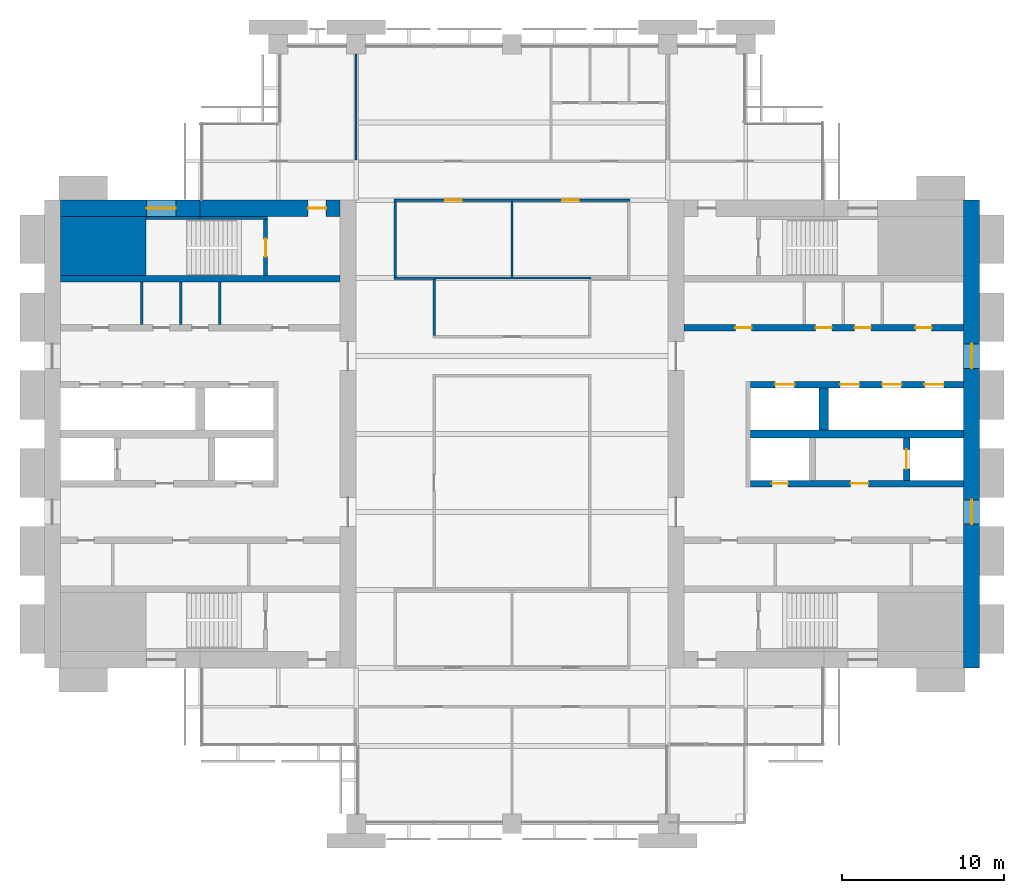
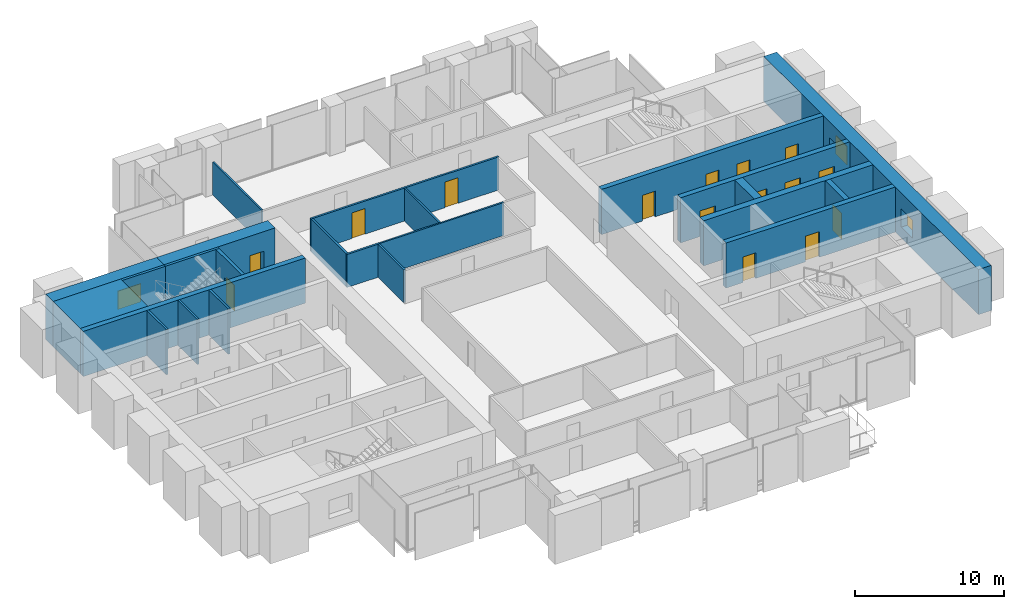
# One storey, part 10 of 13: 24 walls, 15 doors, 3 windows, 18 openings.
"""IFC4 building model written with IfcOpenShell, lengths in metres."""

from ifc_helpers import new_model, si_unit, direction, frame, frame_2d, origin, place, context, subcontext, project, spatial, rectangle, extrude, material, layer, layer_set, type_object, element, fill, save


model = new_model("IFC4")

# Units and contexts
model_context = context("Model", 3, precision=1e-05, world=origin(), true_north=direction((0.0, 1.0)))
body_context = subcontext(model_context, "Body", "Model", "MODEL_VIEW")
ifc_project = project(units=[si_unit("LENGTHUNIT", "METRE"), si_unit("AREAUNIT", "SQUARE_METRE"), si_unit("VOLUMEUNIT", "CUBIC_METRE"), si_unit("PLANEANGLEUNIT", "RADIAN"), si_unit("MASSUNIT", "GRAM", prefix="KILO")], contexts=[model_context])

# Site, building, storey
site_placement = place(None, origin())
site = spatial("IfcSite", under=ifc_project, at=site_placement, CompositionType="ELEMENT")
building_placement = place(site_placement, origin())
building = spatial("IfcBuilding", under=site, at=building_placement, Name="Baori Bourse Tower", CompositionType="ELEMENT")
storey_placement = place(building_placement, frame((0.0, 0.0, 172.10009765625)))
storey = spatial("IfcBuildingStorey", under=building, at=storey_placement, Name="L38", CompositionType="ELEMENT", Elevation=172.10009765625)

# Walls
ifc_material_1 = material(Name="Concrete f'c 60 MPa", Category="concrete")
wall_type_1 = type_object("IfcWallType", Name="Core corner block f'c 60", PredefinedType="SHEAR", material=ifc_material_1)
wall_1_placement = place(storey_placement, frame((1.0, 35.574951171875, 0.0), z_axis=(0.0, 0.0, 1.0), x_axis=(1.0, 0.0, 0.0)))
element("IfcWall", 1, at=wall_1_placement, inside=storey, type_object=wall_type_1, Name="Core wall W25", PredefinedType="SHEAR", context=body_context, shape_type="SweptSolid", body=[
    extrude(rectangle(XDim=5.25, YDim=3.64990234375, at=frame_2d((2.625, 0.0))), origin(), (0.0, 0.0, 1.0), 3.699951171875),
])
ifc_material_2 = material(Name="Blockwork partition", Category="masonry")
ifc_layer_1 = layer(ifc_material_2, 0.14990234375)
ifc_layer_set_1 = layer_set([ifc_layer_1], Name="Core partition 150")
wall_type_2 = type_object("IfcWallType", Name="Core partition 150", PredefinedType="PARTITIONING", material=ifc_layer_set_1)
for number, where, z_axis, x_axis, name in (
    (2, (6.0, 30.75, 0.0), (0.0, 0.0, 1.0), (0.0, 1.0, 0.0), "Partition wall W21"),
    (3, (8.39990234375, 30.75, 0.0), (0.0, 0.0, 1.0), (0.0, 1.0, 0.0), "Partition wall W22"),
    (4, (10.800048828125, 30.75, 0.0), (0.0, 0.0, 1.0), (0.0, 1.0, 0.0), "Partition wall W23"),
):
    element("IfcWall", number, at=place(storey_placement, frame(where, z_axis=z_axis, x_axis=x_axis)), inside=storey, type_object=wall_type_2, Name=name, PredefinedType="PARTITIONING", context=body_context, shape_type="SweptSolid", body=[
        extrude(rectangle(XDim=2.60009765625, YDim=0.14990234375, at=frame_2d((1.300048828125, 0.0))), origin(), (0.0, 0.0, 1.0), 3.699951171875),
    ])

# Wall, opening, window
ifc_material_3 = material(Name="Concrete f'c 60 MPa", Category="concrete")
ifc_layer_2 = layer(ifc_material_3, 1.0)
ifc_layer_set_2 = layer_set([ifc_layer_2], Name="Core wall 1000 f'c 60")
wall_type_3 = type_object("IfcWallType", Name="Core wall 1000 f'c 60", PredefinedType="SHEAR", material=ifc_layer_set_2)
wall_2_placement = place(storey_placement, frame((1.0, 37.89990234375, 0.0), z_axis=(0.0, 0.0, 1.0), x_axis=(1.0, 0.0, 0.0)))
wall_2 = element("IfcWall", 5, at=wall_2_placement, inside=storey, type_object=wall_type_3, Name="Core wall W29", PredefinedType="SHEAR", context=body_context, shape_type="SweptSolid", body=[
    extrude(rectangle(XDim=8.60009765625, YDim=1.0, at=frame_2d((4.300048828125, 0.0))), origin(), (0.0, 0.0, 1.0), 3.699951171875),
])
opening_1_placement = place(wall_2_placement, frame((5.300048828125, 0.0, 0.89990234375)))
opening_1 = element("IfcOpeningElement", 6, at=opening_1_placement, cuts=wall_2, Name="Opening L38-KW104", PredefinedType="OPENING", context=body_context, shape_type="SweptSolid", body=[
    extrude(rectangle(XDim=1.800048828125, YDim=1.5, at=frame_2d((0.89990234375, 0.75))), frame((0.0, 0.510009765625, 0.0), z_axis=(0.0, -1.0, 0.0), x_axis=(1.0, 0.0, 0.0)), (0.0, 0.0, 1.0), 1.02001953125),
])
ifc_material_4 = material(Name="Pale anodised aluminium", Category="aluminium")
window_type_1 = type_object("IfcWindowType", Name="Stair window 1800 x 1500", PartitioningType="SINGLE_PANEL", PredefinedType="WINDOW", material=ifc_material_4)
window_1_placement = place(opening_1_placement, origin())
window_1 = element("IfcWindow", 7, at=window_1_placement, inside=storey, type_object=window_type_1, Name="Stair window W L38 4", OverallHeight=1.5, OverallWidth=1.800048828125, PartitioningType="SINGLE_PANEL", PredefinedType="WINDOW", context=body_context, shape_type="SweptSolid", body=[
    extrude(rectangle(XDim=1.800048828125, YDim=1.5, at=frame_2d((0.89990234375, 0.75))), frame((0.0, 0.030029296875, 0.0), z_axis=(0.0, -1.0, 0.0), x_axis=(1.0, 0.0, 0.0)), (0.0, 0.0, 1.0), 0.06005859375),
])
fill(opening_1, window_1)

# Wall, opening, door
wall_3_placement = place(storey_placement, frame((9.60009765625, 37.89990234375, 0.0), z_axis=(0.0, 0.0, 1.0), x_axis=(1.0, 0.0, 0.0)))
wall_3 = element("IfcWall", 8, at=wall_3_placement, inside=storey, type_object=wall_type_3, Name="Core wall W30", PredefinedType="SHEAR", context=body_context, shape_type="SweptSolid", body=[
    extrude(rectangle(XDim=8.599853515625, YDim=1.0, at=frame_2d((4.2998046875, 0.0))), origin(), (0.0, 0.0, 1.0), 3.699951171875),
])
opening_2_placement = place(wall_3_placement, frame((6.64990234375, 0.0, 0.0)))
opening_2 = element("IfcOpeningElement", 9, at=opening_2_placement, cuts=wall_3, Name="Opening L38-D104", PredefinedType="OPENING", context=body_context, shape_type="SweptSolid", body=[
    extrude(rectangle(XDim=1.10009765625, YDim=2.10009765625, at=frame_2d((0.550048828125, 1.050048828125))), frame((0.0, 0.510009765625, 0.0), z_axis=(0.0, -1.0, 0.0), x_axis=(1.0, 0.0, 0.0)), (0.0, 0.0, 1.0), 1.02001953125),
])
ifc_material_5 = material(Name="Painted steel door", Category="steel")
door_type_1 = type_object("IfcDoorType", Name="Stair door 1100", OperationType="SINGLE_SWING_LEFT", PredefinedType="DOOR", material=ifc_material_5)
door_1_placement = place(opening_2_placement, origin())
door_1 = element("IfcDoor", 10, at=door_1_placement, inside=storey, type_object=door_type_1, Name="Stair vestibule door B W L38", OperationType="SINGLE_SWING_LEFT", OverallHeight=2.10009765625, OverallWidth=1.10009765625, PredefinedType="DOOR", context=body_context, shape_type="SweptSolid", body=[
    extrude(rectangle(XDim=1.10009765625, YDim=2.10009765625, at=frame_2d((0.550048828125, 1.050048828125))), frame((0.0, 0.02490234375, 0.0), z_axis=(0.0, -1.0, 0.0), x_axis=(1.0, 0.0, 0.0)), (0.0, 0.0, 1.0), 0.050048828125),
])
fill(opening_2, door_1)

# Wall, openings, windows
wall_4_placement = place(storey_placement, frame((57.10009765625, 38.39990234375, 0.0), z_axis=(0.0, 0.0, 1.0), x_axis=(0.0, -1.0, 0.0)))
wall_4 = element("IfcWall", 11, at=wall_4_placement, inside=storey, type_object=wall_type_3, Name="Core wall E01", PredefinedType="SHEAR", context=body_context, shape_type="SweptSolid", body=[
    extrude(rectangle(XDim=28.7998046875, YDim=1.0, at=frame_2d((14.39990234375, 0.0))), origin(), (0.0, 0.0, 1.0), 3.699951171875),
])
opening_3_placement = place(wall_4_placement, frame((18.449951171875, 0.0, 0.89990234375)))
opening_3 = element("IfcOpeningElement", 12, at=opening_3_placement, cuts=wall_4, Name="Opening L38-KW201", PredefinedType="OPENING", context=body_context, shape_type="SweptSolid", body=[
    extrude(rectangle(XDim=1.5, YDim=1.5, at=frame_2d((0.75, 0.75))), frame((0.0, 0.510009765625, 0.0), z_axis=(0.0, -1.0, 0.0), x_axis=(1.0, 0.0, 0.0)), (0.0, 0.0, 1.0), 1.02001953125),
])
opening_4_placement = place(wall_4_placement, frame((8.85009765625, 0.0, 0.89990234375)))
opening_4 = element("IfcOpeningElement", 13, at=opening_4_placement, cuts=wall_4, Name="Opening L38-KW202", PredefinedType="OPENING", context=body_context, shape_type="SweptSolid", body=[
    extrude(rectangle(XDim=1.5, YDim=1.5, at=frame_2d((0.75, 0.75))), frame((0.0, 0.510009765625, 0.0), z_axis=(0.0, -1.0, 0.0), x_axis=(1.0, 0.0, 0.0)), (0.0, 0.0, 1.0), 1.02001953125),
])
ifc_material_6 = material(Name="Pale anodised aluminium", Category="aluminium")
window_type_2 = type_object("IfcWindowType", Name="Lobby window 1500 x 1500", PartitioningType="SINGLE_PANEL", PredefinedType="WINDOW", material=ifc_material_6)
window_2_placement = place(opening_3_placement, origin())
window_2 = element("IfcWindow", 14, at=window_2_placement, inside=storey, type_object=window_type_2, Name="Outer wall window E L38 1", OverallHeight=1.5, OverallWidth=1.5, PartitioningType="SINGLE_PANEL", PredefinedType="WINDOW", context=body_context, shape_type="SweptSolid", body=[
    extrude(rectangle(XDim=1.5, YDim=1.5, at=frame_2d((0.75, 0.75))), frame((0.0, 0.030029296875, 0.0), z_axis=(0.0, -1.0, 0.0), x_axis=(1.0, 0.0, 0.0)), (0.0, 0.0, 1.0), 0.06005859375),
])
fill(opening_3, window_2)
window_3_placement = place(opening_4_placement, origin())
window_3 = element("IfcWindow", 15, at=window_3_placement, inside=storey, type_object=window_type_2, Name="Outer wall window E L38 2", OverallHeight=1.5, OverallWidth=1.5, PartitioningType="SINGLE_PANEL", PredefinedType="WINDOW", context=body_context, shape_type="SweptSolid", body=[
    extrude(rectangle(XDim=1.5, YDim=1.5, at=frame_2d((0.75, 0.75))), frame((0.0, 0.030029296875, 0.0), z_axis=(0.0, -1.0, 0.0), x_axis=(1.0, 0.0, 0.0)), (0.0, 0.0, 1.0), 0.06005859375),
])
fill(opening_4, window_3)

# Wall
ifc_material_7 = material(Name="Gypsum board partition")
ifc_layer_3 = layer(ifc_material_7, 0.14990234375)
ifc_layer_set_3 = layer_set([ifc_layer_3], Name="Corridor partition 150")
wall_type_4 = type_object("IfcWallType", Name="Corridor partition 150", PredefinedType="PARTITIONING", material=ifc_layer_set_3)
wall_5_placement = place(storey_placement, frame((21.52490234375, 33.60009765625, 0.0), z_axis=(0.0, 0.0, 1.0), x_axis=(1.0, 0.0, 0.0)))
element("IfcWall", 16, at=wall_5_placement, inside=storey, type_object=wall_type_4, Name="Partition", PredefinedType="PARTITIONING", context=body_context, shape_type="SweptSolid", body=[
    extrude(rectangle(XDim=2.550048828125, YDim=0.14990234375, at=frame_2d((1.27490234375, 0.0))), origin(), (0.0, 0.0, 1.0), 2.709228515625),
])

# Wall, openings, doors
wall_6_placement = place(storey_placement, frame((21.52490234375, 38.39990234375, 0.0), z_axis=(0.0, 0.0, 1.0), x_axis=(1.0, 0.0, 0.0)))
wall_6 = element("IfcWall", 17, at=wall_6_placement, inside=storey, type_object=wall_type_4, Name="Partition", PredefinedType="PARTITIONING", context=body_context, shape_type="SweptSolid", body=[
    extrude(rectangle(XDim=14.550048828125, YDim=0.14990234375, at=frame_2d((7.27490234375, 0.0))), origin(), (0.0, 0.0, 1.0), 2.709228515625),
])
opening_5_placement = place(wall_6_placement, frame((3.175048828125, 0.0, 0.0)))
opening_5 = element("IfcOpeningElement", 18, at=opening_5_placement, cuts=wall_6, Name="Opening L38-D09", PredefinedType="OPENING", context=body_context, shape_type="SweptSolid", body=[
    extrude(rectangle(XDim=1.0, YDim=2.10009765625, at=frame_2d((0.5, 1.050048828125))), frame((0.0, 0.0849609375, 0.0), z_axis=(0.0, -1.0, 0.0), x_axis=(1.0, 0.0, 0.0)), (0.0, 0.0, 1.0), 0.169921875),
])
opening_6_placement = place(wall_6_placement, frame((10.375, 0.0, 0.0)))
opening_6 = element("IfcOpeningElement", 19, at=opening_6_placement, cuts=wall_6, Name="Opening L38-D10", PredefinedType="OPENING", context=body_context, shape_type="SweptSolid", body=[
    extrude(rectangle(XDim=1.0, YDim=2.10009765625, at=frame_2d((0.5, 1.050048828125))), frame((0.0, 0.0849609375, 0.0), z_axis=(0.0, -1.0, 0.0), x_axis=(1.0, 0.0, 0.0)), (0.0, 0.0, 1.0), 0.169921875),
])
ifc_material_8 = material(Name="Timber door leaf", Category="wood")
door_type_2 = type_object("IfcDoorType", Name="Door 1000 x 2100", OperationType="SINGLE_SWING_LEFT", PredefinedType="DOOR", material=ifc_material_8)
door_2_placement = place(opening_5_placement, origin())
door_2 = element("IfcDoor", 20, at=door_2_placement, inside=storey, type_object=door_type_2, Name="Door", OperationType="SINGLE_SWING_LEFT", OverallHeight=2.10009765625, OverallWidth=1.0, PredefinedType="DOOR", context=body_context, shape_type="SweptSolid", body=[
    extrude(rectangle(XDim=1.0, YDim=2.10009765625, at=frame_2d((0.5, 1.050048828125))), frame((0.0, 0.02490234375, 0.0), z_axis=(0.0, -1.0, 0.0), x_axis=(1.0, 0.0, 0.0)), (0.0, 0.0, 1.0), 0.050048828125),
])
fill(opening_5, door_2)
door_3_placement = place(opening_6_placement, origin())
door_3 = element("IfcDoor", 21, at=door_3_placement, inside=storey, type_object=door_type_2, Name="Door", OperationType="SINGLE_SWING_RIGHT", OverallHeight=2.10009765625, OverallWidth=1.0, PredefinedType="DOOR", context=body_context, shape_type="SweptSolid", body=[
    extrude(rectangle(XDim=1.0, YDim=2.10009765625, at=frame_2d((0.5, 1.050048828125))), frame((0.0, 0.02490234375, 0.0), z_axis=(0.0, -1.0, 0.0), x_axis=(1.0, 0.0, 0.0)), (0.0, 0.0, 1.0), 0.050048828125),
])
fill(opening_6, door_3)

# Walls
wall_7_placement = place(storey_placement, frame((21.60009765625, 33.675048828125, 0.0), z_axis=(0.0, 0.0, 1.0), x_axis=(0.0, 1.0, 0.0)))
element("IfcWall", 22, at=wall_7_placement, inside=storey, type_object=wall_type_4, Name="Partition", PredefinedType="PARTITIONING", context=body_context, shape_type="SweptSolid", body=[
    extrude(rectangle(XDim=4.64990234375, YDim=0.14990234375, at=frame_2d((2.324951171875, 0.0))), origin(), (0.0, 0.0, 1.0), 2.709228515625),
])
wall_8_placement = place(storey_placement, frame((24.0, 30.074951171875, 0.0), z_axis=(0.0, 0.0, 1.0), x_axis=(0.0, 1.0, 0.0)))
element("IfcWall", 23, at=wall_8_placement, inside=storey, type_object=wall_type_4, Name="Partition", PredefinedType="PARTITIONING", context=body_context, shape_type="SweptSolid", body=[
    extrude(rectangle(XDim=3.449951171875, YDim=0.14990234375, at=frame_2d((1.72509765625, 0.0))), origin(), (0.0, 0.0, 1.0), 2.709228515625),
])
ifc_material_9 = material(Name="Gypsum board partition")
ifc_layer_4 = layer(ifc_material_9, 0.125)
ifc_layer_set_4 = layer_set([ifc_layer_4], Name="Partition 125")
wall_type_5 = type_object("IfcWallType", Name="Partition 125", PredefinedType="PARTITIONING", material=ifc_layer_set_4)
wall_9_placement = place(storey_placement, frame((24.074951171875, 33.60009765625, 0.0), z_axis=(0.0, 0.0, 1.0), x_axis=(1.0, 0.0, 0.0)))
element("IfcWall", 24, at=wall_9_placement, inside=storey, type_object=wall_type_5, Name="Partition", PredefinedType="PARTITIONING", context=body_context, shape_type="SweptSolid", body=[
    extrude(rectangle(XDim=9.60009765625, YDim=0.125, at=frame_2d((4.800048828125, 0.0))), origin(), (0.0, 0.0, 1.0), 2.709228515625),
])
wall_10_placement = place(storey_placement, frame((19.199951171875, 40.875, 0.0), z_axis=(0.0, 0.0, 1.0), x_axis=(0.0, 1.0, 0.0)))
element("IfcWall", 25, at=wall_10_placement, inside=storey, type_object=wall_type_5, Name="Partition", PredefinedType="PARTITIONING", context=body_context, shape_type="SweptSolid", body=[
    extrude(rectangle(XDim=6.52490234375, YDim=0.125, at=frame_2d((3.262451171875, 0.0))), origin(), (0.0, 0.0, 1.0), 2.709228515625),
])
wall_11_placement = place(storey_placement, frame((28.800048828125, 33.66259765625, 0.0), z_axis=(0.0, 0.0, 1.0), x_axis=(0.0, 1.0, 0.0)))
element("IfcWall", 26, at=wall_11_placement, inside=storey, type_object=wall_type_5, Name="Partition", PredefinedType="PARTITIONING", context=body_context, shape_type="SweptSolid", body=[
    extrude(rectangle(XDim=4.662353515625, YDim=0.125, at=frame_2d((2.3310546875, 0.0))), origin(), (0.0, 0.0, 1.0), 2.709228515625),
])
ifc_material_10 = material(Name="Concrete f'c 60 MPa", Category="concrete")
ifc_layer_5 = layer(ifc_material_10, 0.199951171875)
ifc_layer_set_5 = layer_set([ifc_layer_5], Name="Shaft wall 200 f'c 60")
wall_type_6 = type_object("IfcWallType", Name="Shaft wall 200 f'c 60", PredefinedType="SHEAR", material=ifc_layer_set_5)
wall_12_placement = place(storey_placement, frame((6.25, 37.300048828125, 0.0), z_axis=(0.0, 0.0, 1.0), x_axis=(1.0, 0.0, 0.0)))
element("IfcWall", 27, at=wall_12_placement, inside=storey, type_object=wall_type_6, Name="Core wall W27", PredefinedType="SHEAR", context=body_context, shape_type="SweptSolid", body=[
    extrude(rectangle(XDim=3.35009765625, YDim=0.199951171875, at=frame_2d((1.675048828125, 0.0))), origin(), (0.0, 0.0, 1.0), 3.699951171875),
])
wall_13_placement = place(storey_placement, frame((9.60009765625, 37.300048828125, 0.0), z_axis=(0.0, 0.0, 1.0), x_axis=(1.0, 0.0, 0.0)))
element("IfcWall", 28, at=wall_13_placement, inside=storey, type_object=wall_type_6, Name="Core wall W28", PredefinedType="SHEAR", context=body_context, shape_type="SweptSolid", body=[
    extrude(rectangle(XDim=4.14990234375, YDim=0.199951171875, at=frame_2d((2.074951171875, 0.0))), origin(), (0.0, 0.0, 1.0), 3.699951171875),
])

# Wall, opening, door
ifc_material_11 = material(Name="Concrete f'c 60 MPa", Category="concrete")
ifc_layer_6 = layer(ifc_material_11, 0.25)
ifc_layer_set_6 = layer_set([ifc_layer_6], Name="Shaft wall 250 f'c 60")
wall_type_7 = type_object("IfcWallType", Name="Shaft wall 250 f'c 60", PredefinedType="SHEAR", material=ifc_layer_set_6)
wall_14_placement = place(storey_placement, frame((13.625, 33.75, 0.0), z_axis=(0.0, 0.0, 1.0), x_axis=(0.0, 1.0, 0.0)))
wall_14 = element("IfcWall", 29, at=wall_14_placement, inside=storey, type_object=wall_type_7, Name="Core wall W26", PredefinedType="SHEAR", context=body_context, shape_type="SweptSolid", body=[
    extrude(rectangle(XDim=3.449951171875, YDim=0.25, at=frame_2d((1.72509765625, 0.0))), origin(), (0.0, 0.0, 1.0), 3.699951171875),
])
opening_7_placement = place(wall_14_placement, frame((1.175048828125, 0.0, 0.0)))
opening_7 = element("IfcOpeningElement", 30, at=opening_7_placement, cuts=wall_14, Name="Opening L38-D103", PredefinedType="OPENING", context=body_context, shape_type="SweptSolid", body=[
    extrude(rectangle(XDim=1.10009765625, YDim=2.10009765625, at=frame_2d((0.550048828125, 1.050048828125))), frame((0.0, 0.135009765625, 0.0), z_axis=(0.0, -1.0, 0.0), x_axis=(1.0, 0.0, 0.0)), (0.0, 0.0, 1.0), 0.27001953125),
])
door_4_placement = place(opening_7_placement, origin())
door_4 = element("IfcDoor", 31, at=door_4_placement, inside=storey, type_object=door_type_1, Name="Stair door B W L38", OperationType="SINGLE_SWING_LEFT", OverallHeight=2.10009765625, OverallWidth=1.10009765625, PredefinedType="DOOR", context=body_context, shape_type="SweptSolid", body=[
    extrude(rectangle(XDim=1.10009765625, YDim=2.10009765625, at=frame_2d((0.550048828125, 1.050048828125))), frame((0.0, 0.02490234375, 0.0), z_axis=(0.0, -1.0, 0.0), x_axis=(1.0, 0.0, 0.0)), (0.0, 0.0, 1.0), 0.050048828125),
])
fill(opening_7, door_4)

# Wall
ifc_material_12 = material(Name="Concrete f'c 60 MPa", Category="concrete")
ifc_layer_7 = layer(ifc_material_12, 0.39990234375)
ifc_layer_set_7 = layer_set([ifc_layer_7], Name="Shaft wall 400 f'c 60")
wall_type_8 = type_object("IfcWallType", Name="Shaft wall 400 f'c 60", PredefinedType="SHEAR", material=ifc_layer_set_7)
wall_15_placement = place(storey_placement, frame((1.0, 33.550048828125, 0.0), z_axis=(0.0, 0.0, 1.0), x_axis=(1.0, 0.0, 0.0)))
element("IfcWall", 32, at=wall_15_placement, inside=storey, type_object=wall_type_8, Name="Core wall W24", PredefinedType="SHEAR", context=body_context, shape_type="SweptSolid", body=[
    extrude(rectangle(XDim=17.199951171875, YDim=0.39990234375, at=frame_2d((8.60009765625, 0.0))), origin(), (0.0, 0.0, 1.0), 3.699951171875),
])

# Wall, openings, doors
wall_16_placement = place(storey_placement, frame((43.5, 20.949951171875, 0.0), z_axis=(0.0, 0.0, 1.0), x_axis=(1.0, 0.0, 0.0)))
wall_16 = element("IfcWall", 33, at=wall_16_placement, inside=storey, type_object=wall_type_8, Name="Core wall E13", PredefinedType="SHEAR", context=body_context, shape_type="SweptSolid", body=[
    extrude(rectangle(XDim=13.10009765625, YDim=0.39990234375, at=frame_2d((6.550048828125, 0.0))), origin(), (0.0, 0.0, 1.0), 3.699951171875),
])
opening_8_placement = place(wall_16_placement, frame((6.14990234375, 0.0, 0.0)))
opening_8 = element("IfcOpeningElement", 34, at=opening_8_placement, cuts=wall_16, Name="Opening L38-D205", PredefinedType="OPENING", context=body_context, shape_type="SweptSolid", body=[
    extrude(rectangle(XDim=1.10009765625, YDim=2.10009765625, at=frame_2d((0.550048828125, 1.050048828125))), frame((0.0, 0.2099609375, 0.0), z_axis=(0.0, -1.0, 0.0), x_axis=(1.0, 0.0, 0.0)), (0.0, 0.0, 1.0), 0.419921875),
])
opening_9_placement = place(wall_16_placement, frame((1.300048828125, 0.0, 0.0)))
opening_9 = element("IfcOpeningElement", 35, at=opening_9_placement, cuts=wall_16, Name="Opening L38-D206", PredefinedType="OPENING", context=body_context, shape_type="SweptSolid", body=[
    extrude(rectangle(XDim=1.0, YDim=2.10009765625, at=frame_2d((0.5, 1.050048828125))), frame((0.0, 0.2099609375, 0.0), z_axis=(0.0, -1.0, 0.0), x_axis=(1.0, 0.0, 0.0)), (0.0, 0.0, 1.0), 0.419921875),
])
ifc_material_13 = material(Name="Painted steel door", Category="steel")
door_type_3 = type_object("IfcDoorType", Name="Lobby door 1100", OperationType="SINGLE_SWING_LEFT", PredefinedType="DOOR", material=ifc_material_13)
door_5_placement = place(opening_8_placement, origin())
door_5 = element("IfcDoor", 36, at=door_5_placement, inside=storey, type_object=door_type_3, Name="Firefighting lobby door E L38", OperationType="SINGLE_SWING_LEFT", OverallHeight=2.10009765625, OverallWidth=1.10009765625, PredefinedType="DOOR", context=body_context, shape_type="SweptSolid", body=[
    extrude(rectangle(XDim=1.10009765625, YDim=2.10009765625, at=frame_2d((0.550048828125, 1.050048828125))), frame((0.0, 0.02490234375, 0.0), z_axis=(0.0, -1.0, 0.0), x_axis=(1.0, 0.0, 0.0)), (0.0, 0.0, 1.0), 0.050048828125),
])
fill(opening_8, door_5)
ifc_material_14 = material(Name="Painted steel door", Category="steel")
door_type_4 = type_object("IfcDoorType", Name="Shaft door 1000", OperationType="SINGLE_SWING_LEFT", PredefinedType="DOOR", material=ifc_material_14)
door_6_placement = place(opening_9_placement, origin())
door_6 = element("IfcDoor", 37, at=door_6_placement, inside=storey, type_object=door_type_4, Name="Riser room door E L38", OperationType="SINGLE_SWING_LEFT", OverallHeight=2.10009765625, OverallWidth=1.0, PredefinedType="DOOR", context=body_context, shape_type="SweptSolid", body=[
    extrude(rectangle(XDim=1.0, YDim=2.10009765625, at=frame_2d((0.5, 1.050048828125))), frame((0.0, 0.02490234375, 0.0), z_axis=(0.0, -1.0, 0.0), x_axis=(1.0, 0.0, 0.0)), (0.0, 0.0, 1.0), 0.050048828125),
])
fill(opening_9, door_6)

# Wall, opening, door
wall_17_placement = place(storey_placement, frame((53.10009765625, 21.14990234375, 0.0), z_axis=(0.0, 0.0, 1.0), x_axis=(0.0, 1.0, 0.0)))
wall_17 = element("IfcWall", 38, at=wall_17_placement, inside=storey, type_object=wall_type_8, Name="Core wall E15", PredefinedType="SHEAR", context=body_context, shape_type="SweptSolid", body=[
    extrude(rectangle(XDim=2.60009765625, YDim=0.39990234375, at=frame_2d((1.300048828125, 0.0))), origin(), (0.0, 0.0, 1.0), 3.699951171875),
])
opening_10_placement = place(wall_17_placement, frame((0.699951171875, 0.0, 0.0)))
opening_10 = element("IfcOpeningElement", 39, at=opening_10_placement, cuts=wall_17, Name="Opening L38-D220", PredefinedType="OPENING", context=body_context, shape_type="SweptSolid", body=[
    extrude(rectangle(XDim=1.199951171875, YDim=2.10009765625, at=frame_2d((0.60009765625, 1.050048828125))), frame((0.0, 0.2099609375, 0.0), z_axis=(0.0, -1.0, 0.0), x_axis=(1.0, 0.0, 0.0)), (0.0, 0.0, 1.0), 0.419921875),
])
ifc_material_15 = material(Name="Stainless steel door", Category="steel")
door_type_5 = type_object("IfcDoorType", Name="Lift landing door", OperationType="DOUBLE_DOOR_SLIDING", PredefinedType="DOOR", material=ifc_material_15)
door_7_placement = place(opening_10_placement, origin())
door_7 = element("IfcDoor", 40, at=door_7_placement, inside=storey, type_object=door_type_5, Name="Lift landing door FF2 E L38", OperationType="DOUBLE_DOOR_SLIDING", OverallHeight=2.10009765625, OverallWidth=1.199951171875, PredefinedType="DOOR", context=body_context, shape_type="SweptSolid", body=[
    extrude(rectangle(XDim=1.199951171875, YDim=2.10009765625, at=frame_2d((0.60009765625, 1.050048828125))), frame((0.0, 0.02490234375, 0.0), z_axis=(0.0, -1.0, 0.0), x_axis=(1.0, 0.0, 0.0)), (0.0, 0.0, 1.0), 0.050048828125),
])
fill(opening_10, door_7)

# Wall, openings, doors
wall_18_placement = place(storey_placement, frame((43.5, 27.050048828125, 0.0), z_axis=(0.0, 0.0, 1.0), x_axis=(1.0, 0.0, 0.0)))
wall_18 = element("IfcWall", 41, at=wall_18_placement, inside=storey, type_object=wall_type_8, Name="Core wall E19", PredefinedType="SHEAR", context=body_context, shape_type="SweptSolid", body=[
    extrude(rectangle(XDim=13.10009765625, YDim=0.39990234375, at=frame_2d((6.550048828125, 0.0))), origin(), (0.0, 0.0, 1.0), 3.699951171875),
])
opening_11_placement = place(wall_18_placement, frame((10.699951171875, 0.0, 0.0)))
opening_11 = element("IfcOpeningElement", 42, at=opening_11_placement, cuts=wall_18, Name="Opening L38-D216", PredefinedType="OPENING", context=body_context, shape_type="SweptSolid", body=[
    extrude(rectangle(XDim=1.199951171875, YDim=2.10009765625, at=frame_2d((0.60009765625, 1.050048828125))), frame((0.0, 0.2099609375, 0.0), z_axis=(0.0, -1.0, 0.0), x_axis=(1.0, 0.0, 0.0)), (0.0, 0.0, 1.0), 0.419921875),
])
opening_12_placement = place(wall_18_placement, frame((8.10009765625, 0.0, 0.0)))
opening_12 = element("IfcOpeningElement", 43, at=opening_12_placement, cuts=wall_18, Name="Opening L38-D217", PredefinedType="OPENING", context=body_context, shape_type="SweptSolid", body=[
    extrude(rectangle(XDim=1.199951171875, YDim=2.10009765625, at=frame_2d((0.60009765625, 1.050048828125))), frame((0.0, 0.2099609375, 0.0), z_axis=(0.0, -1.0, 0.0), x_axis=(1.0, 0.0, 0.0)), (0.0, 0.0, 1.0), 0.419921875),
])
opening_13_placement = place(wall_18_placement, frame((5.5, 0.0, 0.0)))
opening_13 = element("IfcOpeningElement", 44, at=opening_13_placement, cuts=wall_18, Name="Opening L38-D218", PredefinedType="OPENING", context=body_context, shape_type="SweptSolid", body=[
    extrude(rectangle(XDim=1.199951171875, YDim=2.10009765625, at=frame_2d((0.60009765625, 1.050048828125))), frame((0.0, 0.2099609375, 0.0), z_axis=(0.0, -1.0, 0.0), x_axis=(1.0, 0.0, 0.0)), (0.0, 0.0, 1.0), 0.419921875),
])
opening_14_placement = place(wall_18_placement, frame((1.5, 0.0, 0.0)))
opening_14 = element("IfcOpeningElement", 45, at=opening_14_placement, cuts=wall_18, Name="Opening L38-D219", PredefinedType="OPENING", context=body_context, shape_type="SweptSolid", body=[
    extrude(rectangle(XDim=1.199951171875, YDim=2.10009765625, at=frame_2d((0.60009765625, 1.050048828125))), frame((0.0, 0.2099609375, 0.0), z_axis=(0.0, -1.0, 0.0), x_axis=(1.0, 0.0, 0.0)), (0.0, 0.0, 1.0), 0.419921875),
])
door_8_placement = place(opening_11_placement, origin())
door_8 = element("IfcDoor", 46, at=door_8_placement, inside=storey, type_object=door_type_5, Name="Lift landing door SH1 E L38", OperationType="DOUBLE_DOOR_SLIDING", OverallHeight=2.10009765625, OverallWidth=1.199951171875, PredefinedType="DOOR", context=body_context, shape_type="SweptSolid", body=[
    extrude(rectangle(XDim=1.199951171875, YDim=2.10009765625, at=frame_2d((0.60009765625, 1.050048828125))), frame((0.0, 0.02490234375, 0.0), z_axis=(0.0, -1.0, 0.0), x_axis=(1.0, 0.0, 0.0)), (0.0, 0.0, 1.0), 0.050048828125),
])
fill(opening_11, door_8)
door_9_placement = place(opening_12_placement, origin())
door_9 = element("IfcDoor", 47, at=door_9_placement, inside=storey, type_object=door_type_5, Name="Lift landing door SH2 E L38", OperationType="DOUBLE_DOOR_SLIDING", OverallHeight=2.10009765625, OverallWidth=1.199951171875, PredefinedType="DOOR", context=body_context, shape_type="SweptSolid", body=[
    extrude(rectangle(XDim=1.199951171875, YDim=2.10009765625, at=frame_2d((0.60009765625, 1.050048828125))), frame((0.0, 0.02490234375, 0.0), z_axis=(0.0, -1.0, 0.0), x_axis=(1.0, 0.0, 0.0)), (0.0, 0.0, 1.0), 0.050048828125),
])
fill(opening_12, door_9)
door_10_placement = place(opening_13_placement, origin())
door_10 = element("IfcDoor", 48, at=door_10_placement, inside=storey, type_object=door_type_5, Name="Lift landing door SH3 E L38", OperationType="DOUBLE_DOOR_SLIDING", OverallHeight=2.10009765625, OverallWidth=1.199951171875, PredefinedType="DOOR", context=body_context, shape_type="SweptSolid", body=[
    extrude(rectangle(XDim=1.199951171875, YDim=2.10009765625, at=frame_2d((0.60009765625, 1.050048828125))), frame((0.0, 0.02490234375, 0.0), z_axis=(0.0, -1.0, 0.0), x_axis=(1.0, 0.0, 0.0)), (0.0, 0.0, 1.0), 0.050048828125),
])
fill(opening_13, door_10)
door_11_placement = place(opening_14_placement, origin())
door_11 = element("IfcDoor", 49, at=door_11_placement, inside=storey, type_object=door_type_5, Name="Lift landing door SV1 E L38", OperationType="DOUBLE_DOOR_SLIDING", OverallHeight=2.10009765625, OverallWidth=1.199951171875, PredefinedType="DOOR", context=body_context, shape_type="SweptSolid", body=[
    extrude(rectangle(XDim=1.199951171875, YDim=2.10009765625, at=frame_2d((0.60009765625, 1.050048828125))), frame((0.0, 0.02490234375, 0.0), z_axis=(0.0, -1.0, 0.0), x_axis=(1.0, 0.0, 0.0)), (0.0, 0.0, 1.0), 0.050048828125),
])
fill(opening_14, door_11)

wall_19_placement = place(storey_placement, frame((39.39990234375, 30.550048828125, 0.0), z_axis=(0.0, 0.0, 1.0), x_axis=(1.0, 0.0, 0.0)))
wall_19 = element("IfcWall", 50, at=wall_19_placement, inside=storey, type_object=wall_type_8, Name="Core wall E20", PredefinedType="SHEAR", context=body_context, shape_type="SweptSolid", body=[
    extrude(rectangle(XDim=17.2001953125, YDim=0.39990234375, at=frame_2d((8.60009765625, 0.0))), origin(), (0.0, 0.0, 1.0), 3.699951171875),
])
opening_15_placement = place(wall_19_placement, frame((14.237548828125, 0.0, 0.0)))
opening_15 = element("IfcOpeningElement", 51, at=opening_15_placement, cuts=wall_19, Name="Opening L38-D209", PredefinedType="OPENING", context=body_context, shape_type="SweptSolid", body=[
    extrude(rectangle(XDim=1.0, YDim=2.10009765625, at=frame_2d((0.5, 1.050048828125))), frame((0.0, 0.2099609375, 0.0), z_axis=(0.0, -1.0, 0.0), x_axis=(1.0, 0.0, 0.0)), (0.0, 0.0, 1.0), 0.419921875),
])
opening_16_placement = place(wall_19_placement, frame((10.5, 0.0, 0.0)))
opening_16 = element("IfcOpeningElement", 52, at=opening_16_placement, cuts=wall_19, Name="Opening L38-D210", PredefinedType="OPENING", context=body_context, shape_type="SweptSolid", body=[
    extrude(rectangle(XDim=1.0, YDim=2.10009765625, at=frame_2d((0.5, 1.050048828125))), frame((0.0, 0.2099609375, 0.0), z_axis=(0.0, -1.0, 0.0), x_axis=(1.0, 0.0, 0.0)), (0.0, 0.0, 1.0), 0.419921875),
])
opening_17_placement = place(wall_19_placement, frame((8.10009765625, 0.0, 0.0)))
opening_17 = element("IfcOpeningElement", 53, at=opening_17_placement, cuts=wall_19, Name="Opening L38-D211", PredefinedType="OPENING", context=body_context, shape_type="SweptSolid", body=[
    extrude(rectangle(XDim=1.0, YDim=2.10009765625, at=frame_2d((0.5, 1.050048828125))), frame((0.0, 0.2099609375, 0.0), z_axis=(0.0, -1.0, 0.0), x_axis=(1.0, 0.0, 0.0)), (0.0, 0.0, 1.0), 0.419921875),
])
opening_18_placement = place(wall_19_placement, frame((3.16259765625, 0.0, 0.0)))
opening_18 = element("IfcOpeningElement", 54, at=opening_18_placement, cuts=wall_19, Name="Opening L38-D212", PredefinedType="OPENING", context=body_context, shape_type="SweptSolid", body=[
    extrude(rectangle(XDim=1.0, YDim=2.10009765625, at=frame_2d((0.5, 1.050048828125))), frame((0.0, 0.2099609375, 0.0), z_axis=(0.0, -1.0, 0.0), x_axis=(1.0, 0.0, 0.0)), (0.0, 0.0, 1.0), 0.419921875),
])
ifc_material_16 = material(Name="Painted steel door", Category="steel")
door_type_6 = type_object("IfcDoorType", Name="Core door 1000", OperationType="SINGLE_SWING_LEFT", PredefinedType="DOOR", material=ifc_material_16)
door_12_placement = place(opening_15_placement, origin())
door_12 = element("IfcDoor", 55, at=door_12_placement, inside=storey, type_object=door_type_6, Name="Women'S Wc door E L38", OperationType="SINGLE_SWING_LEFT", OverallHeight=2.10009765625, OverallWidth=1.0, PredefinedType="DOOR", context=body_context, shape_type="SweptSolid", body=[
    extrude(rectangle(XDim=1.0, YDim=2.10009765625, at=frame_2d((0.5, 1.050048828125))), frame((0.0, 0.02490234375, 0.0), z_axis=(0.0, -1.0, 0.0), x_axis=(1.0, 0.0, 0.0)), (0.0, 0.0, 1.0), 0.050048828125),
])
fill(opening_15, door_12)
door_13_placement = place(opening_16_placement, origin())
door_13 = element("IfcDoor", 56, at=door_13_placement, inside=storey, type_object=door_type_6, Name="Accessible Wc door E L38", OperationType="SINGLE_SWING_LEFT", OverallHeight=2.10009765625, OverallWidth=1.0, PredefinedType="DOOR", context=body_context, shape_type="SweptSolid", body=[
    extrude(rectangle(XDim=1.0, YDim=2.10009765625, at=frame_2d((0.5, 1.050048828125))), frame((0.0, 0.02490234375, 0.0), z_axis=(0.0, -1.0, 0.0), x_axis=(1.0, 0.0, 0.0)), (0.0, 0.0, 1.0), 0.050048828125),
])
fill(opening_16, door_13)
door_14_placement = place(opening_18_placement, origin())
door_14 = element("IfcDoor", 57, at=door_14_placement, inside=storey, type_object=door_type_6, Name="Men'S Wc door E L38", OperationType="SINGLE_SWING_LEFT", OverallHeight=2.10009765625, OverallWidth=1.0, PredefinedType="DOOR", context=body_context, shape_type="SweptSolid", body=[
    extrude(rectangle(XDim=1.0, YDim=2.10009765625, at=frame_2d((0.5, 1.050048828125))), frame((0.0, 0.02490234375, 0.0), z_axis=(0.0, -1.0, 0.0), x_axis=(1.0, 0.0, 0.0)), (0.0, 0.0, 1.0), 0.050048828125),
])
fill(opening_18, door_14)
ifc_material_17 = material(Name="Painted steel door", Category="steel")
door_type_7 = type_object("IfcDoorType", Name="Plant room door 1000", OperationType="SINGLE_SWING_LEFT", PredefinedType="DOOR", material=ifc_material_17)
door_15_placement = place(opening_17_placement, origin())
door_15 = element("IfcDoor", 58, at=door_15_placement, inside=storey, type_object=door_type_7, Name="Communications Room door E L38", OperationType="SINGLE_SWING_LEFT", OverallHeight=2.10009765625, OverallWidth=1.0, PredefinedType="DOOR", context=body_context, shape_type="SweptSolid", body=[
    extrude(rectangle(XDim=1.0, YDim=2.10009765625, at=frame_2d((0.5, 1.050048828125))), frame((0.0, 0.02490234375, 0.0), z_axis=(0.0, -1.0, 0.0), x_axis=(1.0, 0.0, 0.0)), (0.0, 0.0, 1.0), 0.050048828125),
])
fill(opening_17, door_15)

# Walls
ifc_material_18 = material(Name="Concrete f'c 60 MPa", Category="concrete")
ifc_layer_8 = layer(ifc_material_18, 0.5)
ifc_layer_set_8 = layer_set([ifc_layer_8], Name="Shaft wall 500 f'c 60")
wall_type_9 = type_object("IfcWallType", Name="Shaft wall 500 f'c 60", PredefinedType="SHEAR", material=ifc_layer_set_8)
wall_20_placement = place(storey_placement, frame((43.5, 24.0, 0.0), z_axis=(0.0, 0.0, 1.0), x_axis=(1.0, 0.0, 0.0)))
element("IfcWall", 59, at=wall_20_placement, inside=storey, type_object=wall_type_9, Name="Core wall E17", PredefinedType="SHEAR", context=body_context, shape_type="SweptSolid", body=[
    extrude(rectangle(XDim=13.10009765625, YDim=0.5, at=frame_2d((6.550048828125, 0.0))), origin(), (0.0, 0.0, 1.0), 3.699951171875),
])
ifc_material_19 = material(Name="Concrete f'c 60 MPa", Category="concrete")
ifc_layer_9 = layer(ifc_material_19, 0.60009765625)
ifc_layer_set_9 = layer_set([ifc_layer_9], Name="Shaft wall 600 f'c 60")
wall_type_10 = type_object("IfcWallType", Name="Shaft wall 600 f'c 60", PredefinedType="SHEAR", material=ifc_layer_set_9)
wall_21_placement = place(storey_placement, frame((48.0, 24.25, 0.0), z_axis=(0.0, 0.0, 1.0), x_axis=(0.0, 1.0, 0.0)))
element("IfcWall", 60, at=wall_21_placement, inside=storey, type_object=wall_type_10, Name="Core wall E18", PredefinedType="SHEAR", context=body_context, shape_type="SweptSolid", body=[
    extrude(rectangle(XDim=2.60009765625, YDim=0.60009765625, at=frame_2d((1.300048828125, 0.0))), origin(), (0.0, 0.0, 1.0), 3.699951171875),
])

save(model, "model.ifc")
